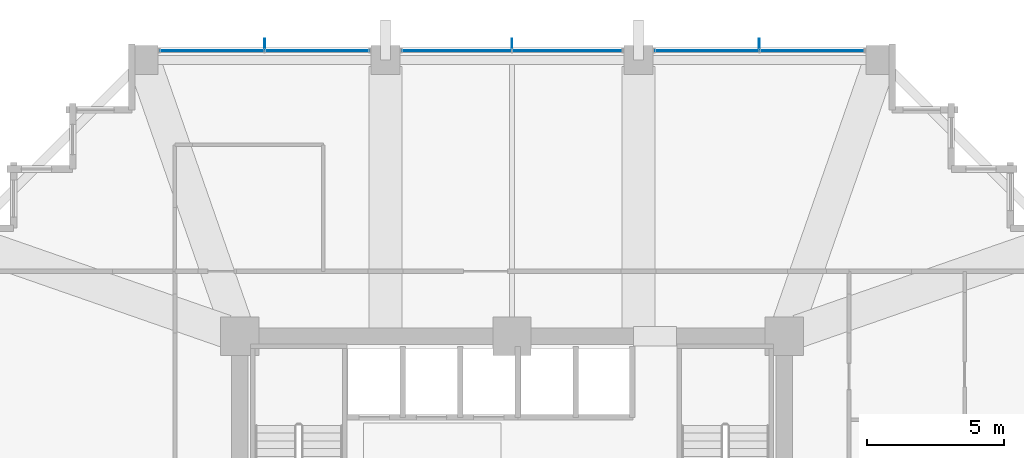
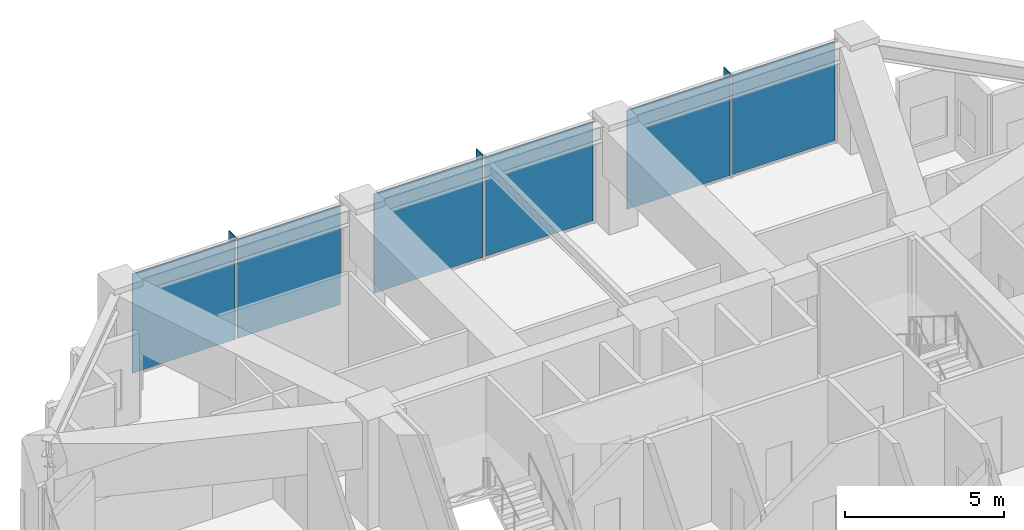
# One storey, part 32 of 40: 9 plates, 3 elements without a shape of their own.
"""IFC4 building model written with IfcOpenShell, lengths in metres."""

from ifc_helpers import new_model, si_unit, direction, frame, origin, origin_2d, place, context, subcontext, project, spatial, rectangle, extrude, material, layer, layer_set, type_object, element, aggregate, save


model = new_model("IFC4")

# Units and contexts
model_context = context("Model", 3, precision=1e-05, world=origin(), true_north=direction((0.0, 1.0)))
body_context = subcontext(model_context, "Body", "Model", "MODEL_VIEW")
ifc_project = project(units=[si_unit("LENGTHUNIT", "METRE"), si_unit("AREAUNIT", "SQUARE_METRE"), si_unit("VOLUMEUNIT", "CUBIC_METRE"), si_unit("PLANEANGLEUNIT", "RADIAN"), si_unit("MASSUNIT", "GRAM", prefix="KILO")], contexts=[model_context])

# Site, building, storey
site_placement = place(None, origin())
site = spatial("IfcSite", under=ifc_project, at=site_placement, CompositionType="ELEMENT")
building_placement = place(site_placement, origin())
building = spatial("IfcBuilding", under=site, at=building_placement, Name="Kolvaren Belvedere", CompositionType="ELEMENT")
storey_placement = place(building_placement, frame((0.0, 0.0, 68.0)))
storey = spatial("IfcBuildingStorey", under=building, at=storey_placement, Name="L19", CompositionType="ELEMENT", Elevation=68.0)

# Curtain wall, plates
ifc_material_1 = material(Name="Anodised pale-metal aluminium AA 6063-T6", Category="aluminium")
curtain_wall_type = type_object("IfcCurtainWallType", Name="CW-Z2-MID", PredefinedType="NOTDEFINED", material=ifc_material_1)
curtain_wall_1_placement = place(storey_placement, origin())
curtain_wall_1 = element("IfcCurtainWall", 1, at=curtain_wall_1_placement, inside=storey, type_object=curtain_wall_type, Name="L19 Unitised Curtain Wall FCW-L19-N-B1", PredefinedType="NOTDEFINED")
ifc_material_2 = material(Name="Low-iron triple insulated glass", Category="glass")
ifc_layer_1 = layer(ifc_material_2, 0.028076171875)
ifc_layer_set_1 = layer_set([ifc_layer_1], Name="Low-iron triple insulated glass")
plate_type_1 = type_object("IfcPlateType", Name="CW-PNL-VIS28", PredefinedType="CURTAIN_PANEL", material=ifc_layer_set_1)
plate_1_placement = place(storey_placement, frame((-10.9111328125, 20.280029296875, 0.080078125), z_axis=(0.0, 0.0, 1.0), x_axis=(1.0, 0.0, 0.0)))
plate_1 = element("IfcPlate", 2, at=plate_1_placement, type_object=plate_type_1, Name="FCW-L19-N-B1 Vision Glazing Panel 1", PredefinedType="CURTAIN_PANEL", context=body_context, shape_type="SweptSolid", body=[
    extrude(rectangle(XDim=3.742431640625, YDim=0.028076171875, at=origin_2d()), origin(), (0.0, 0.0, 1.0), 3.820068359375),
])
plate_2_placement = place(storey_placement, frame((-7.0888671875, 20.280029296875, 0.080078125), z_axis=(0.0, 0.0, 1.0), x_axis=(1.0, 0.0, 0.0)))
plate_2 = element("IfcPlate", 3, at=plate_2_placement, type_object=plate_type_1, Name="FCW-L19-N-B1 Vision Glazing Panel 2", PredefinedType="CURTAIN_PANEL", context=body_context, shape_type="SweptSolid", body=[
    extrude(rectangle(XDim=3.742431640625, YDim=0.028076171875, at=origin_2d()), origin(), (0.0, 0.0, 1.0), 3.820068359375),
])
aggregate(curtain_wall_1, [plate_1, plate_2])

curtain_wall_2_placement = place(storey_placement, origin())
curtain_wall_2 = element("IfcCurtainWall", 4, at=curtain_wall_2_placement, inside=storey, type_object=curtain_wall_type, Name="L19 Unitised Curtain Wall FCW-L19-N-B2", PredefinedType="NOTDEFINED")
plate_3_placement = place(storey_placement, frame((-2.01123046875, 20.280029296875, 0.080078125), z_axis=(0.0, 0.0, 1.0), x_axis=(1.0, 0.0, 0.0)))
plate_3 = element("IfcPlate", 5, at=plate_3_placement, type_object=plate_type_1, Name="FCW-L19-N-B2 Vision Glazing Panel 1", PredefinedType="CURTAIN_PANEL", context=body_context, shape_type="SweptSolid", body=[
    extrude(rectangle(XDim=3.9423828125, YDim=0.028076171875, at=origin_2d()), origin(), (0.0, 0.0, 1.0), 3.820068359375),
])
plate_4_placement = place(storey_placement, frame((2.01123046875, 20.280029296875, 0.080078125), z_axis=(0.0, 0.0, 1.0), x_axis=(1.0, 0.0, 0.0)))
plate_4 = element("IfcPlate", 6, at=plate_4_placement, type_object=plate_type_1, Name="FCW-L19-N-B2 Vision Glazing Panel 2", PredefinedType="CURTAIN_PANEL", context=body_context, shape_type="SweptSolid", body=[
    extrude(rectangle(XDim=3.9423828125, YDim=0.028076171875, at=origin_2d()), origin(), (0.0, 0.0, 1.0), 3.820068359375),
])
aggregate(curtain_wall_2, [plate_3, plate_4])

curtain_wall_3_placement = place(storey_placement, origin())
curtain_wall_3 = element("IfcCurtainWall", 7, at=curtain_wall_3_placement, inside=storey, type_object=curtain_wall_type, Name="L19 Unitised Curtain Wall FCW-L19-N-B3", PredefinedType="NOTDEFINED")
plate_5_placement = place(storey_placement, frame((7.0888671875, 20.280029296875, 0.080078125), z_axis=(0.0, 0.0, 1.0), x_axis=(1.0, 0.0, 0.0)))
plate_5 = element("IfcPlate", 8, at=plate_5_placement, type_object=plate_type_1, Name="FCW-L19-N-B3 Vision Glazing Panel 1", PredefinedType="CURTAIN_PANEL", context=body_context, shape_type="SweptSolid", body=[
    extrude(rectangle(XDim=3.742431640625, YDim=0.028076171875, at=origin_2d()), origin(), (0.0, 0.0, 1.0), 3.820068359375),
])
plate_6_placement = place(storey_placement, frame((10.9111328125, 20.280029296875, 0.080078125), z_axis=(0.0, 0.0, 1.0), x_axis=(1.0, 0.0, 0.0)))
plate_6 = element("IfcPlate", 9, at=plate_6_placement, type_object=plate_type_1, Name="FCW-L19-N-B3 Vision Glazing Panel 2", PredefinedType="CURTAIN_PANEL", context=body_context, shape_type="SweptSolid", body=[
    extrude(rectangle(XDim=3.742431640625, YDim=0.028076171875, at=origin_2d()), origin(), (0.0, 0.0, 1.0), 3.820068359375),
])
aggregate(curtain_wall_3, [plate_5, plate_6])

# Plates
ifc_material_3 = material(Name="Anodised pale-metal aluminium AA 6063-T6", Category="aluminium")
ifc_layer_2 = layer(ifc_material_3, 0.033935546875)
ifc_layer_set_2 = layer_set([ifc_layer_2], Name="Anodised pale-metal aluminium AA 6063-T6")
plate_type_2 = type_object("IfcPlateType", Name="FIN-VERT-380", PredefinedType="USERDEFINED", material=ifc_layer_set_2)
for number, where, z_axis, x_axis, name in (
    (10, (-9.0, 20.52490234375, 0.0), (0.0, 0.0, 1.0), (0.0, 1.0, 0.0), "L19 Pale-Metal Vertical Shading Fin FCW-L19-N-B1-1"),
    (11, (0.0, 20.52490234375, 0.0), (0.0, 0.0, 1.0), (0.0, 1.0, 0.0), "L19 Pale-Metal Vertical Shading Fin FCW-L19-N-B2-1"),
    (12, (9.0, 20.52490234375, 0.0), (0.0, 0.0, 1.0), (0.0, 1.0, 0.0), "L19 Pale-Metal Vertical Shading Fin FCW-L19-N-B3-1"),
):
    element("IfcPlate", number, at=place(storey_placement, frame(where, z_axis=z_axis, x_axis=x_axis)), inside=storey, type_object=plate_type_2, Name=name, ObjectType="VERTICAL FIN", PredefinedType="USERDEFINED", context=body_context, shape_type="SweptSolid", body=[
        extrude(rectangle(XDim=0.3798828125, YDim=0.033935546875, at=origin_2d()), origin(), (0.0, 0.0, 1.0), 3.97998046875),
    ])

save(model, "model.ifc")
